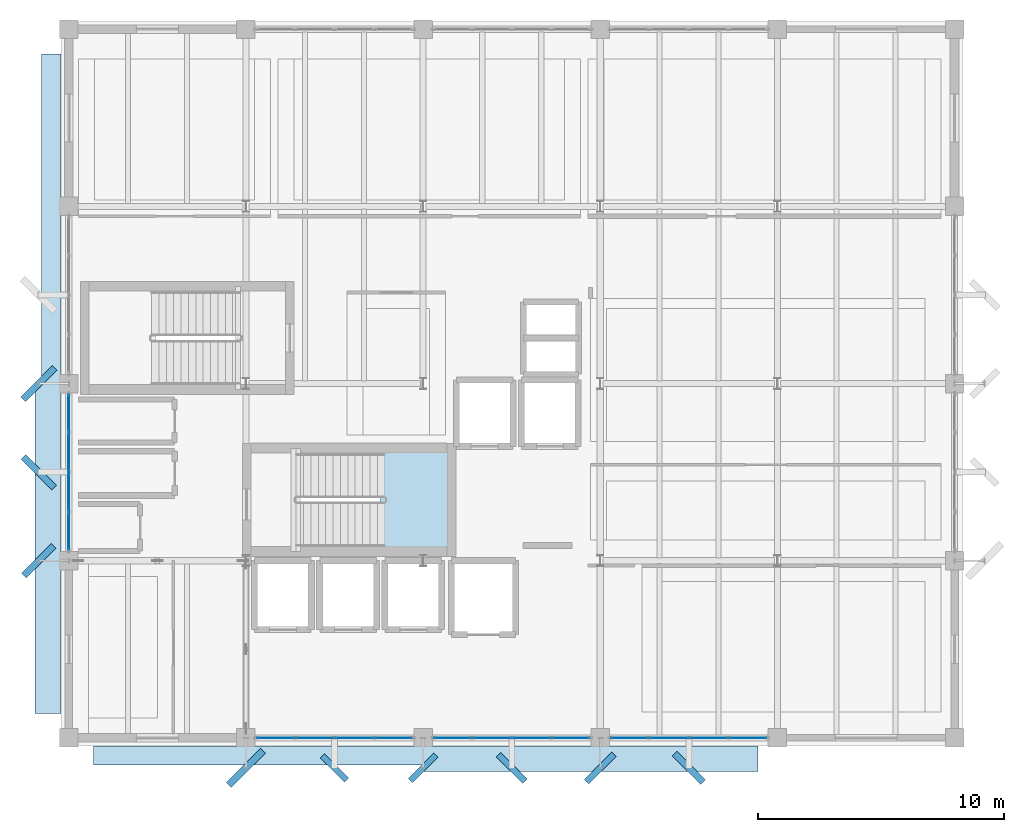
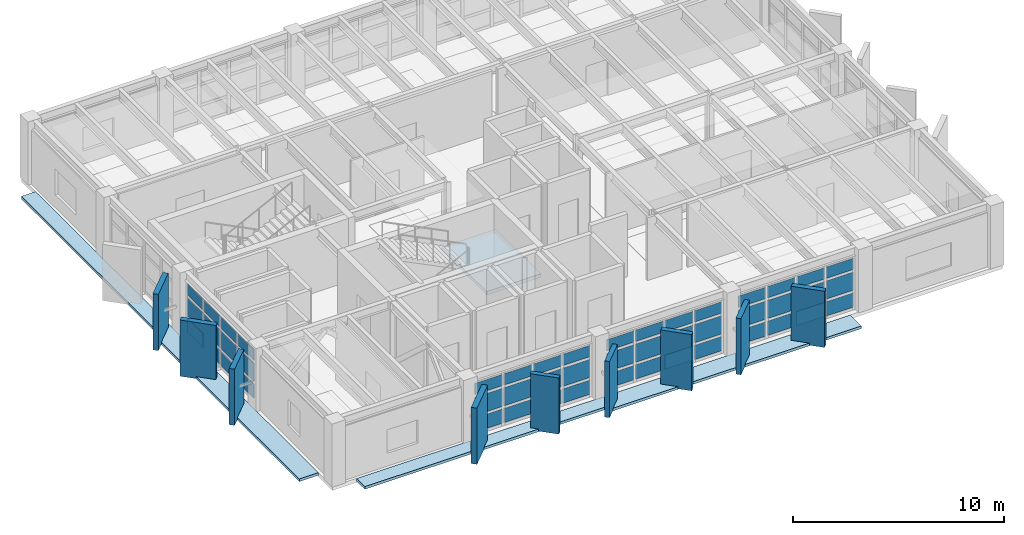
# One storey, part 14 of 24: 57 plates, 3 slabs, 5 elements without a shape of their own.
"""IFC4 building model written with IfcOpenShell, lengths in metres."""

from ifc_helpers import new_model, si_unit, direction, frame, origin, origin_2d, place, context, subcontext, project, spatial, polyline, rectangle, outline, extrude, material, layer, layer_set, type_object, element, aggregate, save


model = new_model("IFC4")

# Units and contexts
model_context = context("Model", 3, precision=1e-05, world=origin(), true_north=direction((0.0, 1.0)))
body_context = subcontext(model_context, "Body", "Model", "MODEL_VIEW")
ifc_project = project(units=[si_unit("LENGTHUNIT", "METRE"), si_unit("AREAUNIT", "SQUARE_METRE"), si_unit("VOLUMEUNIT", "CUBIC_METRE"), si_unit("PLANEANGLEUNIT", "RADIAN"), si_unit("MASSUNIT", "GRAM", prefix="KILO")], contexts=[model_context])

# Site, building, storey
site_placement = place(None, origin())
site = spatial("IfcSite", under=ifc_project, at=site_placement, CompositionType="ELEMENT")
building_placement = place(site_placement, origin())
building = spatial("IfcBuilding", under=site, at=building_placement, Name="Kandorven Conservatory and Botanical Research Centre", CompositionType="ELEMENT")
storey_placement = place(building_placement, frame((0.0, 0.0, 24.89990234375)))
storey = spatial("IfcBuildingStorey", under=building, at=storey_placement, Name="L06", CompositionType="ELEMENT", Elevation=24.89990234375)

# Curtain wall, plates
ifc_material_1 = material(Name="Bronze anodised thermally broken aluminium", Category="aluminium")
ifc_layer_1 = layer(ifc_material_1, 0.179931640625)
ifc_layer_set_1 = layer_set([ifc_layer_1], Name="Bronze anodised thermally broken aluminium")
curtain_wall_type = type_object("IfcCurtainWallType", Name="CW_Unitised", PredefinedType="USERDEFINED", material=ifc_layer_set_1)
curtain_wall_1_placement = place(storey_placement, origin())
curtain_wall_1 = element("IfcCurtainWall", 1, at=curtain_wall_1_placement, inside=storey, type_object=curtain_wall_type, Name="Tower laboratory curtain wall CW-TWR-S-L06-2", ObjectType="UNITISED GLAZING", PredefinedType="USERDEFINED")
ifc_material_2 = material(Name="Double-glazed solar-control low-E glass", Category="glass")
ifc_layer_2 = layer(ifc_material_2, 0.028076171875)
ifc_layer_set_2 = layer_set([ifc_layer_2], Name="Double-glazed solar-control low-E glass")
plate_type_1 = type_object("IfcPlateType", Name="CW_Panel", PredefinedType="CURTAIN_PANEL", material=ifc_layer_set_2)
plate_1_placement = place(storey_placement, frame((14.4013671875, 6.0, 0.14990234375), z_axis=(0.0, 0.0, 1.0), x_axis=(1.0, 0.0, 0.0)))
plate_1 = element("IfcPlate", 2, at=plate_1_placement, type_object=plate_type_1, Name="CW-01 panel 1.1", PredefinedType="CURTAIN_PANEL", context=body_context, shape_type="SweptSolid", body=[
    extrude(rectangle(XDim=1.492431640625, YDim=0.028076171875, at=origin_2d()), origin(), (0.0, 0.0, 1.0), 0.824951171875),
])
plate_2_placement = place(storey_placement, frame((14.4013671875, 6.0, 1.125), z_axis=(0.0, 0.0, 1.0), x_axis=(1.0, 0.0, 0.0)))
plate_2 = element("IfcPlate", 3, at=plate_2_placement, type_object=plate_type_1, Name="CW-01 panel 1.2", PredefinedType="CURTAIN_PANEL", context=body_context, shape_type="SweptSolid", body=[
    extrude(rectangle(XDim=1.492431640625, YDim=0.028076171875, at=origin_2d()), origin(), (0.0, 0.0, 1.0), 1.050048828125),
])
plate_3_placement = place(storey_placement, frame((14.4013671875, 6.0, 2.3251953125), z_axis=(0.0, 0.0, 1.0), x_axis=(1.0, 0.0, 0.0)))
plate_3 = element("IfcPlate", 4, at=plate_3_placement, type_object=plate_type_1, Name="CW-01 panel 1.3", PredefinedType="CURTAIN_PANEL", context=body_context, shape_type="SweptSolid", body=[
    extrude(rectangle(XDim=1.492431640625, YDim=0.028076171875, at=origin_2d()), origin(), (0.0, 0.0, 1.0), 0.655029296875),
])
plate_4_placement = place(storey_placement, frame((15.99365234375, 6.0, 0.14990234375), z_axis=(0.0, 0.0, 1.0), x_axis=(1.0, 0.0, 0.0)))
plate_4 = element("IfcPlate", 5, at=plate_4_placement, type_object=plate_type_1, Name="CW-01 panel 2.1", PredefinedType="CURTAIN_PANEL", context=body_context, shape_type="SweptSolid", body=[
    extrude(rectangle(XDim=1.532470703125, YDim=0.028076171875, at=origin_2d()), origin(), (0.0, 0.0, 1.0), 0.824951171875),
])
plate_5_placement = place(storey_placement, frame((15.99365234375, 6.0, 1.125), z_axis=(0.0, 0.0, 1.0), x_axis=(1.0, 0.0, 0.0)))
plate_5 = element("IfcPlate", 6, at=plate_5_placement, type_object=plate_type_1, Name="CW-01 panel 2.2", PredefinedType="CURTAIN_PANEL", context=body_context, shape_type="SweptSolid", body=[
    extrude(rectangle(XDim=1.532470703125, YDim=0.028076171875, at=origin_2d()), origin(), (0.0, 0.0, 1.0), 1.050048828125),
])
plate_6_placement = place(storey_placement, frame((15.99365234375, 6.0, 2.3251953125), z_axis=(0.0, 0.0, 1.0), x_axis=(1.0, 0.0, 0.0)))
plate_6 = element("IfcPlate", 7, at=plate_6_placement, type_object=plate_type_1, Name="CW-01 panel 2.3", PredefinedType="CURTAIN_PANEL", context=body_context, shape_type="SweptSolid", body=[
    extrude(rectangle(XDim=1.532470703125, YDim=0.028076171875, at=origin_2d()), origin(), (0.0, 0.0, 1.0), 0.655029296875),
])
plate_7_placement = place(storey_placement, frame((17.606201171875, 6.0, 0.14990234375), z_axis=(0.0, 0.0, 1.0), x_axis=(1.0, 0.0, 0.0)))
plate_7 = element("IfcPlate", 8, at=plate_7_placement, type_object=plate_type_1, Name="CW-01 panel 3.1", PredefinedType="CURTAIN_PANEL", context=body_context, shape_type="SweptSolid", body=[
    extrude(rectangle(XDim=1.532470703125, YDim=0.028076171875, at=origin_2d()), origin(), (0.0, 0.0, 1.0), 0.824951171875),
])
plate_8_placement = place(storey_placement, frame((17.606201171875, 6.0, 1.125), z_axis=(0.0, 0.0, 1.0), x_axis=(1.0, 0.0, 0.0)))
plate_8 = element("IfcPlate", 9, at=plate_8_placement, type_object=plate_type_1, Name="CW-01 panel 3.2", PredefinedType="CURTAIN_PANEL", context=body_context, shape_type="SweptSolid", body=[
    extrude(rectangle(XDim=1.532470703125, YDim=0.028076171875, at=origin_2d()), origin(), (0.0, 0.0, 1.0), 1.050048828125),
])
plate_9_placement = place(storey_placement, frame((17.606201171875, 6.0, 2.3251953125), z_axis=(0.0, 0.0, 1.0), x_axis=(1.0, 0.0, 0.0)))
plate_9 = element("IfcPlate", 10, at=plate_9_placement, type_object=plate_type_1, Name="CW-01 panel 3.3", PredefinedType="CURTAIN_PANEL", context=body_context, shape_type="SweptSolid", body=[
    extrude(rectangle(XDim=1.532470703125, YDim=0.028076171875, at=origin_2d()), origin(), (0.0, 0.0, 1.0), 0.655029296875),
])
plate_10_placement = place(storey_placement, frame((19.19873046875, 6.0, 0.14990234375), z_axis=(0.0, 0.0, 1.0), x_axis=(1.0, 0.0, 0.0)))
plate_10 = element("IfcPlate", 11, at=plate_10_placement, type_object=plate_type_1, Name="CW-01 panel 4.1", PredefinedType="CURTAIN_PANEL", context=body_context, shape_type="SweptSolid", body=[
    extrude(rectangle(XDim=1.492431640625, YDim=0.028076171875, at=origin_2d()), origin(), (0.0, 0.0, 1.0), 0.824951171875),
])
plate_11_placement = place(storey_placement, frame((19.19873046875, 6.0, 1.125), z_axis=(0.0, 0.0, 1.0), x_axis=(1.0, 0.0, 0.0)))
plate_11 = element("IfcPlate", 12, at=plate_11_placement, type_object=plate_type_1, Name="CW-01 panel 4.2", PredefinedType="CURTAIN_PANEL", context=body_context, shape_type="SweptSolid", body=[
    extrude(rectangle(XDim=1.492431640625, YDim=0.028076171875, at=origin_2d()), origin(), (0.0, 0.0, 1.0), 1.050048828125),
])
plate_12_placement = place(storey_placement, frame((19.19873046875, 6.0, 2.3251953125), z_axis=(0.0, 0.0, 1.0), x_axis=(1.0, 0.0, 0.0)))
plate_12 = element("IfcPlate", 13, at=plate_12_placement, type_object=plate_type_1, Name="CW-01 panel 4.3", PredefinedType="CURTAIN_PANEL", context=body_context, shape_type="SweptSolid", body=[
    extrude(rectangle(XDim=1.492431640625, YDim=0.028076171875, at=origin_2d()), origin(), (0.0, 0.0, 1.0), 0.655029296875),
])
aggregate(curtain_wall_1, [plate_1, plate_2, plate_3, plate_4, plate_5, plate_6, plate_7, plate_8, plate_9, plate_10, plate_11, plate_12])

curtain_wall_2_placement = place(storey_placement, origin())
curtain_wall_2 = element("IfcCurtainWall", 14, at=curtain_wall_2_placement, inside=storey, type_object=curtain_wall_type, Name="Tower laboratory curtain wall CW-TWR-S-L06-3", ObjectType="UNITISED GLAZING", PredefinedType="USERDEFINED")
plate_13_placement = place(storey_placement, frame((21.601318359375, 6.0, 0.14990234375), z_axis=(0.0, 0.0, 1.0), x_axis=(1.0, 0.0, 0.0)))
plate_13 = element("IfcPlate", 15, at=plate_13_placement, type_object=plate_type_1, Name="CW-01 panel 1.1", PredefinedType="CURTAIN_PANEL", context=body_context, shape_type="SweptSolid", body=[
    extrude(rectangle(XDim=1.492431640625, YDim=0.028076171875, at=origin_2d()), origin(), (0.0, 0.0, 1.0), 0.824951171875),
])
plate_14_placement = place(storey_placement, frame((21.601318359375, 6.0, 1.125), z_axis=(0.0, 0.0, 1.0), x_axis=(1.0, 0.0, 0.0)))
plate_14 = element("IfcPlate", 16, at=plate_14_placement, type_object=plate_type_1, Name="CW-01 panel 1.2", PredefinedType="CURTAIN_PANEL", context=body_context, shape_type="SweptSolid", body=[
    extrude(rectangle(XDim=1.492431640625, YDim=0.028076171875, at=origin_2d()), origin(), (0.0, 0.0, 1.0), 1.050048828125),
])
plate_15_placement = place(storey_placement, frame((21.601318359375, 6.0, 2.3251953125), z_axis=(0.0, 0.0, 1.0), x_axis=(1.0, 0.0, 0.0)))
plate_15 = element("IfcPlate", 17, at=plate_15_placement, type_object=plate_type_1, Name="CW-01 panel 1.3", PredefinedType="CURTAIN_PANEL", context=body_context, shape_type="SweptSolid", body=[
    extrude(rectangle(XDim=1.492431640625, YDim=0.028076171875, at=origin_2d()), origin(), (0.0, 0.0, 1.0), 0.655029296875),
])
plate_16_placement = place(storey_placement, frame((23.19384765625, 6.0, 0.14990234375), z_axis=(0.0, 0.0, 1.0), x_axis=(1.0, 0.0, 0.0)))
plate_16 = element("IfcPlate", 18, at=plate_16_placement, type_object=plate_type_1, Name="CW-01 panel 2.1", PredefinedType="CURTAIN_PANEL", context=body_context, shape_type="SweptSolid", body=[
    extrude(rectangle(XDim=1.532470703125, YDim=0.028076171875, at=origin_2d()), origin(), (0.0, 0.0, 1.0), 0.824951171875),
])
plate_17_placement = place(storey_placement, frame((23.19384765625, 6.0, 1.125), z_axis=(0.0, 0.0, 1.0), x_axis=(1.0, 0.0, 0.0)))
plate_17 = element("IfcPlate", 19, at=plate_17_placement, type_object=plate_type_1, Name="CW-01 panel 2.2", PredefinedType="CURTAIN_PANEL", context=body_context, shape_type="SweptSolid", body=[
    extrude(rectangle(XDim=1.532470703125, YDim=0.028076171875, at=origin_2d()), origin(), (0.0, 0.0, 1.0), 1.050048828125),
])
plate_18_placement = place(storey_placement, frame((23.19384765625, 6.0, 2.3251953125), z_axis=(0.0, 0.0, 1.0), x_axis=(1.0, 0.0, 0.0)))
plate_18 = element("IfcPlate", 20, at=plate_18_placement, type_object=plate_type_1, Name="CW-01 panel 2.3", PredefinedType="CURTAIN_PANEL", context=body_context, shape_type="SweptSolid", body=[
    extrude(rectangle(XDim=1.532470703125, YDim=0.028076171875, at=origin_2d()), origin(), (0.0, 0.0, 1.0), 0.655029296875),
])
plate_19_placement = place(storey_placement, frame((24.80615234375, 6.0, 0.14990234375), z_axis=(0.0, 0.0, 1.0), x_axis=(1.0, 0.0, 0.0)))
plate_19 = element("IfcPlate", 21, at=plate_19_placement, type_object=plate_type_1, Name="CW-01 panel 3.1", PredefinedType="CURTAIN_PANEL", context=body_context, shape_type="SweptSolid", body=[
    extrude(rectangle(XDim=1.532470703125, YDim=0.028076171875, at=origin_2d()), origin(), (0.0, 0.0, 1.0), 0.824951171875),
])
plate_20_placement = place(storey_placement, frame((24.80615234375, 6.0, 1.125), z_axis=(0.0, 0.0, 1.0), x_axis=(1.0, 0.0, 0.0)))
plate_20 = element("IfcPlate", 22, at=plate_20_placement, type_object=plate_type_1, Name="CW-01 panel 3.2", PredefinedType="CURTAIN_PANEL", context=body_context, shape_type="SweptSolid", body=[
    extrude(rectangle(XDim=1.532470703125, YDim=0.028076171875, at=origin_2d()), origin(), (0.0, 0.0, 1.0), 1.050048828125),
])
plate_21_placement = place(storey_placement, frame((24.80615234375, 6.0, 2.3251953125), z_axis=(0.0, 0.0, 1.0), x_axis=(1.0, 0.0, 0.0)))
plate_21 = element("IfcPlate", 23, at=plate_21_placement, type_object=plate_type_1, Name="CW-01 panel 3.3", PredefinedType="CURTAIN_PANEL", context=body_context, shape_type="SweptSolid", body=[
    extrude(rectangle(XDim=1.532470703125, YDim=0.028076171875, at=origin_2d()), origin(), (0.0, 0.0, 1.0), 0.655029296875),
])
plate_22_placement = place(storey_placement, frame((26.398681640625, 6.0, 0.14990234375), z_axis=(0.0, 0.0, 1.0), x_axis=(1.0, 0.0, 0.0)))
plate_22 = element("IfcPlate", 24, at=plate_22_placement, type_object=plate_type_1, Name="CW-01 panel 4.1", PredefinedType="CURTAIN_PANEL", context=body_context, shape_type="SweptSolid", body=[
    extrude(rectangle(XDim=1.492431640625, YDim=0.028076171875, at=origin_2d()), origin(), (0.0, 0.0, 1.0), 0.824951171875),
])
plate_23_placement = place(storey_placement, frame((26.398681640625, 6.0, 1.125), z_axis=(0.0, 0.0, 1.0), x_axis=(1.0, 0.0, 0.0)))
plate_23 = element("IfcPlate", 25, at=plate_23_placement, type_object=plate_type_1, Name="CW-01 panel 4.2", PredefinedType="CURTAIN_PANEL", context=body_context, shape_type="SweptSolid", body=[
    extrude(rectangle(XDim=1.492431640625, YDim=0.028076171875, at=origin_2d()), origin(), (0.0, 0.0, 1.0), 1.050048828125),
])
plate_24_placement = place(storey_placement, frame((26.398681640625, 6.0, 2.3251953125), z_axis=(0.0, 0.0, 1.0), x_axis=(1.0, 0.0, 0.0)))
plate_24 = element("IfcPlate", 26, at=plate_24_placement, type_object=plate_type_1, Name="CW-01 panel 4.3", PredefinedType="CURTAIN_PANEL", context=body_context, shape_type="SweptSolid", body=[
    extrude(rectangle(XDim=1.492431640625, YDim=0.028076171875, at=origin_2d()), origin(), (0.0, 0.0, 1.0), 0.655029296875),
])
aggregate(curtain_wall_2, [plate_13, plate_14, plate_15, plate_16, plate_17, plate_18, plate_19, plate_20, plate_21, plate_22, plate_23, plate_24])

curtain_wall_3_placement = place(storey_placement, origin())
curtain_wall_3 = element("IfcCurtainWall", 27, at=curtain_wall_3_placement, inside=storey, type_object=curtain_wall_type, Name="Tower laboratory curtain wall CW-TWR-S-L06-4", ObjectType="UNITISED GLAZING", PredefinedType="USERDEFINED")
plate_25_placement = place(storey_placement, frame((28.80126953125, 6.0, 0.14990234375), z_axis=(0.0, 0.0, 1.0), x_axis=(1.0, 0.0, 0.0)))
plate_25 = element("IfcPlate", 28, at=plate_25_placement, type_object=plate_type_1, Name="CW-01 panel 1.1", PredefinedType="CURTAIN_PANEL", context=body_context, shape_type="SweptSolid", body=[
    extrude(rectangle(XDim=1.492431640625, YDim=0.028076171875, at=origin_2d()), origin(), (0.0, 0.0, 1.0), 0.824951171875),
])
plate_26_placement = place(storey_placement, frame((28.80126953125, 6.0, 1.125), z_axis=(0.0, 0.0, 1.0), x_axis=(1.0, 0.0, 0.0)))
plate_26 = element("IfcPlate", 29, at=plate_26_placement, type_object=plate_type_1, Name="CW-01 panel 1.2", PredefinedType="CURTAIN_PANEL", context=body_context, shape_type="SweptSolid", body=[
    extrude(rectangle(XDim=1.492431640625, YDim=0.028076171875, at=origin_2d()), origin(), (0.0, 0.0, 1.0), 1.050048828125),
])
plate_27_placement = place(storey_placement, frame((28.80126953125, 6.0, 2.3251953125), z_axis=(0.0, 0.0, 1.0), x_axis=(1.0, 0.0, 0.0)))
plate_27 = element("IfcPlate", 30, at=plate_27_placement, type_object=plate_type_1, Name="CW-01 panel 1.3", PredefinedType="CURTAIN_PANEL", context=body_context, shape_type="SweptSolid", body=[
    extrude(rectangle(XDim=1.492431640625, YDim=0.028076171875, at=origin_2d()), origin(), (0.0, 0.0, 1.0), 0.655029296875),
])
plate_28_placement = place(storey_placement, frame((30.393798828125, 6.0, 0.14990234375), z_axis=(0.0, 0.0, 1.0), x_axis=(1.0, 0.0, 0.0)))
plate_28 = element("IfcPlate", 31, at=plate_28_placement, type_object=plate_type_1, Name="CW-01 panel 2.1", PredefinedType="CURTAIN_PANEL", context=body_context, shape_type="SweptSolid", body=[
    extrude(rectangle(XDim=1.532470703125, YDim=0.028076171875, at=origin_2d()), origin(), (0.0, 0.0, 1.0), 0.824951171875),
])
plate_29_placement = place(storey_placement, frame((30.393798828125, 6.0, 1.125), z_axis=(0.0, 0.0, 1.0), x_axis=(1.0, 0.0, 0.0)))
plate_29 = element("IfcPlate", 32, at=plate_29_placement, type_object=plate_type_1, Name="CW-01 panel 2.2", PredefinedType="CURTAIN_PANEL", context=body_context, shape_type="SweptSolid", body=[
    extrude(rectangle(XDim=1.532470703125, YDim=0.028076171875, at=origin_2d()), origin(), (0.0, 0.0, 1.0), 1.050048828125),
])
plate_30_placement = place(storey_placement, frame((30.393798828125, 6.0, 2.3251953125), z_axis=(0.0, 0.0, 1.0), x_axis=(1.0, 0.0, 0.0)))
plate_30 = element("IfcPlate", 33, at=plate_30_placement, type_object=plate_type_1, Name="CW-01 panel 2.3", PredefinedType="CURTAIN_PANEL", context=body_context, shape_type="SweptSolid", body=[
    extrude(rectangle(XDim=1.532470703125, YDim=0.028076171875, at=origin_2d()), origin(), (0.0, 0.0, 1.0), 0.655029296875),
])
plate_31_placement = place(storey_placement, frame((32.00634765625, 6.0, 0.14990234375), z_axis=(0.0, 0.0, 1.0), x_axis=(1.0, 0.0, 0.0)))
plate_31 = element("IfcPlate", 34, at=plate_31_placement, type_object=plate_type_1, Name="CW-01 panel 3.1", PredefinedType="CURTAIN_PANEL", context=body_context, shape_type="SweptSolid", body=[
    extrude(rectangle(XDim=1.532470703125, YDim=0.028076171875, at=origin_2d()), origin(), (0.0, 0.0, 1.0), 0.824951171875),
])
plate_32_placement = place(storey_placement, frame((32.00634765625, 6.0, 1.125), z_axis=(0.0, 0.0, 1.0), x_axis=(1.0, 0.0, 0.0)))
plate_32 = element("IfcPlate", 35, at=plate_32_placement, type_object=plate_type_1, Name="CW-01 panel 3.2", PredefinedType="CURTAIN_PANEL", context=body_context, shape_type="SweptSolid", body=[
    extrude(rectangle(XDim=1.532470703125, YDim=0.028076171875, at=origin_2d()), origin(), (0.0, 0.0, 1.0), 1.050048828125),
])
plate_33_placement = place(storey_placement, frame((32.00634765625, 6.0, 2.3251953125), z_axis=(0.0, 0.0, 1.0), x_axis=(1.0, 0.0, 0.0)))
plate_33 = element("IfcPlate", 36, at=plate_33_placement, type_object=plate_type_1, Name="CW-01 panel 3.3", PredefinedType="CURTAIN_PANEL", context=body_context, shape_type="SweptSolid", body=[
    extrude(rectangle(XDim=1.532470703125, YDim=0.028076171875, at=origin_2d()), origin(), (0.0, 0.0, 1.0), 0.655029296875),
])
plate_34_placement = place(storey_placement, frame((33.5986328125, 6.0, 0.14990234375), z_axis=(0.0, 0.0, 1.0), x_axis=(1.0, 0.0, 0.0)))
plate_34 = element("IfcPlate", 37, at=plate_34_placement, type_object=plate_type_1, Name="CW-01 panel 4.1", PredefinedType="CURTAIN_PANEL", context=body_context, shape_type="SweptSolid", body=[
    extrude(rectangle(XDim=1.492431640625, YDim=0.028076171875, at=origin_2d()), origin(), (0.0, 0.0, 1.0), 0.824951171875),
])
plate_35_placement = place(storey_placement, frame((33.5986328125, 6.0, 1.125), z_axis=(0.0, 0.0, 1.0), x_axis=(1.0, 0.0, 0.0)))
plate_35 = element("IfcPlate", 38, at=plate_35_placement, type_object=plate_type_1, Name="CW-01 panel 4.2", PredefinedType="CURTAIN_PANEL", context=body_context, shape_type="SweptSolid", body=[
    extrude(rectangle(XDim=1.492431640625, YDim=0.028076171875, at=origin_2d()), origin(), (0.0, 0.0, 1.0), 1.050048828125),
])
plate_36_placement = place(storey_placement, frame((33.5986328125, 6.0, 2.3251953125), z_axis=(0.0, 0.0, 1.0), x_axis=(1.0, 0.0, 0.0)))
plate_36 = element("IfcPlate", 39, at=plate_36_placement, type_object=plate_type_1, Name="CW-01 panel 4.3", PredefinedType="CURTAIN_PANEL", context=body_context, shape_type="SweptSolid", body=[
    extrude(rectangle(XDim=1.492431640625, YDim=0.028076171875, at=origin_2d()), origin(), (0.0, 0.0, 1.0), 0.655029296875),
])
aggregate(curtain_wall_3, [plate_25, plate_26, plate_27, plate_28, plate_29, plate_30, plate_31, plate_32, plate_33, plate_34, plate_35, plate_36])

curtain_wall_4_placement = place(storey_placement, origin())
curtain_wall_4 = element("IfcCurtainWall", 40, at=curtain_wall_4_placement, inside=storey, type_object=curtain_wall_type, Name="Tower laboratory curtain wall CW-TWR-W-L06-2", ObjectType="UNITISED GLAZING", PredefinedType="USERDEFINED")
plate_37_placement = place(storey_placement, frame((6.0, 14.4013671875, 0.14990234375), z_axis=(0.0, 0.0, 1.0), x_axis=(0.0, 1.0, 0.0)))
plate_37 = element("IfcPlate", 41, at=plate_37_placement, type_object=plate_type_1, Name="CW-01 panel 1.1", PredefinedType="CURTAIN_PANEL", context=body_context, shape_type="SweptSolid", body=[
    extrude(rectangle(XDim=1.492431640625, YDim=0.028076171875, at=origin_2d()), origin(), (0.0, 0.0, 1.0), 0.824951171875),
])
plate_38_placement = place(storey_placement, frame((6.0, 14.4013671875, 1.125), z_axis=(0.0, 0.0, 1.0), x_axis=(0.0, 1.0, 0.0)))
plate_38 = element("IfcPlate", 42, at=plate_38_placement, type_object=plate_type_1, Name="CW-01 panel 1.2", PredefinedType="CURTAIN_PANEL", context=body_context, shape_type="SweptSolid", body=[
    extrude(rectangle(XDim=1.492431640625, YDim=0.028076171875, at=origin_2d()), origin(), (0.0, 0.0, 1.0), 1.050048828125),
])
plate_39_placement = place(storey_placement, frame((6.0, 14.4013671875, 2.3251953125), z_axis=(0.0, 0.0, 1.0), x_axis=(0.0, 1.0, 0.0)))
plate_39 = element("IfcPlate", 43, at=plate_39_placement, type_object=plate_type_1, Name="CW-01 panel 1.3", PredefinedType="CURTAIN_PANEL", context=body_context, shape_type="SweptSolid", body=[
    extrude(rectangle(XDim=1.492431640625, YDim=0.028076171875, at=origin_2d()), origin(), (0.0, 0.0, 1.0), 0.655029296875),
])
plate_40_placement = place(storey_placement, frame((6.0, 15.99365234375, 0.14990234375), z_axis=(0.0, 0.0, 1.0), x_axis=(0.0, 1.0, 0.0)))
plate_40 = element("IfcPlate", 44, at=plate_40_placement, type_object=plate_type_1, Name="CW-01 panel 2.1", PredefinedType="CURTAIN_PANEL", context=body_context, shape_type="SweptSolid", body=[
    extrude(rectangle(XDim=1.532470703125, YDim=0.028076171875, at=origin_2d()), origin(), (0.0, 0.0, 1.0), 0.824951171875),
])
plate_41_placement = place(storey_placement, frame((6.0, 15.99365234375, 1.125), z_axis=(0.0, 0.0, 1.0), x_axis=(0.0, 1.0, 0.0)))
plate_41 = element("IfcPlate", 45, at=plate_41_placement, type_object=plate_type_1, Name="CW-01 panel 2.2", PredefinedType="CURTAIN_PANEL", context=body_context, shape_type="SweptSolid", body=[
    extrude(rectangle(XDim=1.532470703125, YDim=0.028076171875, at=origin_2d()), origin(), (0.0, 0.0, 1.0), 1.050048828125),
])
plate_42_placement = place(storey_placement, frame((6.0, 15.99365234375, 2.3251953125), z_axis=(0.0, 0.0, 1.0), x_axis=(0.0, 1.0, 0.0)))
plate_42 = element("IfcPlate", 46, at=plate_42_placement, type_object=plate_type_1, Name="CW-01 panel 2.3", PredefinedType="CURTAIN_PANEL", context=body_context, shape_type="SweptSolid", body=[
    extrude(rectangle(XDim=1.532470703125, YDim=0.028076171875, at=origin_2d()), origin(), (0.0, 0.0, 1.0), 0.655029296875),
])
plate_43_placement = place(storey_placement, frame((6.0, 17.606201171875, 0.14990234375), z_axis=(0.0, 0.0, 1.0), x_axis=(0.0, 1.0, 0.0)))
plate_43 = element("IfcPlate", 47, at=plate_43_placement, type_object=plate_type_1, Name="CW-01 panel 3.1", PredefinedType="CURTAIN_PANEL", context=body_context, shape_type="SweptSolid", body=[
    extrude(rectangle(XDim=1.532470703125, YDim=0.028076171875, at=origin_2d()), origin(), (0.0, 0.0, 1.0), 0.824951171875),
])
plate_44_placement = place(storey_placement, frame((6.0, 17.606201171875, 1.125), z_axis=(0.0, 0.0, 1.0), x_axis=(0.0, 1.0, 0.0)))
plate_44 = element("IfcPlate", 48, at=plate_44_placement, type_object=plate_type_1, Name="CW-01 panel 3.2", PredefinedType="CURTAIN_PANEL", context=body_context, shape_type="SweptSolid", body=[
    extrude(rectangle(XDim=1.532470703125, YDim=0.028076171875, at=origin_2d()), origin(), (0.0, 0.0, 1.0), 1.050048828125),
])
plate_45_placement = place(storey_placement, frame((6.0, 17.606201171875, 2.3251953125), z_axis=(0.0, 0.0, 1.0), x_axis=(0.0, 1.0, 0.0)))
plate_45 = element("IfcPlate", 49, at=plate_45_placement, type_object=plate_type_1, Name="CW-01 panel 3.3", PredefinedType="CURTAIN_PANEL", context=body_context, shape_type="SweptSolid", body=[
    extrude(rectangle(XDim=1.532470703125, YDim=0.028076171875, at=origin_2d()), origin(), (0.0, 0.0, 1.0), 0.655029296875),
])
plate_46_placement = place(storey_placement, frame((6.0, 19.19873046875, 0.14990234375), z_axis=(0.0, 0.0, 1.0), x_axis=(0.0, 1.0, 0.0)))
plate_46 = element("IfcPlate", 50, at=plate_46_placement, type_object=plate_type_1, Name="CW-01 panel 4.1", PredefinedType="CURTAIN_PANEL", context=body_context, shape_type="SweptSolid", body=[
    extrude(rectangle(XDim=1.492431640625, YDim=0.028076171875, at=origin_2d()), origin(), (0.0, 0.0, 1.0), 0.824951171875),
])
plate_47_placement = place(storey_placement, frame((6.0, 19.19873046875, 1.125), z_axis=(0.0, 0.0, 1.0), x_axis=(0.0, 1.0, 0.0)))
plate_47 = element("IfcPlate", 51, at=plate_47_placement, type_object=plate_type_1, Name="CW-01 panel 4.2", PredefinedType="CURTAIN_PANEL", context=body_context, shape_type="SweptSolid", body=[
    extrude(rectangle(XDim=1.492431640625, YDim=0.028076171875, at=origin_2d()), origin(), (0.0, 0.0, 1.0), 1.050048828125),
])
plate_48_placement = place(storey_placement, frame((6.0, 19.19873046875, 2.3251953125), z_axis=(0.0, 0.0, 1.0), x_axis=(0.0, 1.0, 0.0)))
plate_48 = element("IfcPlate", 52, at=plate_48_placement, type_object=plate_type_1, Name="CW-01 panel 4.3", PredefinedType="CURTAIN_PANEL", context=body_context, shape_type="SweptSolid", body=[
    extrude(rectangle(XDim=1.492431640625, YDim=0.028076171875, at=origin_2d()), origin(), (0.0, 0.0, 1.0), 0.655029296875),
])
aggregate(curtain_wall_4, [plate_37, plate_38, plate_39, plate_40, plate_41, plate_42, plate_43, plate_44, plate_45, plate_46, plate_47, plate_48])

# Plates
ifc_material_3 = material(Name="Precast concrete C40/50 (M50)", Category="concrete")
ifc_layer_3 = layer(ifc_material_3, 0.239990234375)
ifc_layer_set_3 = layer_set([ifc_layer_3], Name="Precast concrete C40/50 (M50)")
plate_type_2 = type_object("IfcPlateType", Name="Fin_BF-01", PredefinedType="USERDEFINED", material=ifc_layer_set_3)
plate_49_placement = place(storey_placement, frame((16.800048828125, 4.780029296875, -0.119873046875), z_axis=(0.0, 0.0, 1.0), x_axis=(-0.707106781187, 0.707106781187, 0.0)))
element("IfcPlate", 53, at=plate_49_placement, inside=storey, type_object=plate_type_2, Name="Sculpted board-marked concrete brise-soleil fin BF-01", ObjectType="SOLAR FIN", PredefinedType="USERDEFINED", context=body_context, shape_type="SweptSolid", body=[
    extrude(rectangle(XDim=1.39990234375, YDim=0.239990234375, at=origin_2d()), origin(), (0.0, 0.0, 1.0), 3.25),
])
ifc_material_4 = material(Name="Precast concrete C40/50 (M50)", Category="concrete")
ifc_layer_4 = layer(ifc_material_4, 0.2451171875)
ifc_layer_set_4 = layer_set([ifc_layer_4], Name="Precast concrete C40/50 (M50)")
plate_type_3 = type_object("IfcPlateType", Name="Fin_BF-02", PredefinedType="USERDEFINED", material=ifc_layer_set_4)
plate_50_placement = place(storey_placement, frame((20.39990234375, 4.780029296875, -0.119873046875), z_axis=(0.0, 0.0, 1.0), x_axis=(0.707106781187, 0.707106781187, 0.0)))
element("IfcPlate", 54, at=plate_50_placement, inside=storey, type_object=plate_type_3, Name="Sculpted board-marked concrete brise-soleil fin BF-02", ObjectType="SOLAR FIN", PredefinedType="USERDEFINED", context=body_context, shape_type="SweptSolid", body=[
    extrude(rectangle(XDim=1.4599609375, YDim=0.2451171875, at=origin_2d()), origin(), (0.0, 0.0, 1.0), 3.25),
])
ifc_material_5 = material(Name="Precast concrete C40/50 (M50)", Category="concrete")
ifc_layer_5 = layer(ifc_material_5, 0.25)
ifc_layer_set_5 = layer_set([ifc_layer_5], Name="Precast concrete C40/50 (M50)")
plate_type_4 = type_object("IfcPlateType", Name="Fin_BF-03", PredefinedType="USERDEFINED", material=ifc_layer_set_5)
plate_51_placement = place(storey_placement, frame((24.0, 4.780029296875, -0.119873046875), z_axis=(0.0, 0.0, 1.0), x_axis=(-0.707106781187, 0.707106781187, 0.0)))
element("IfcPlate", 55, at=plate_51_placement, inside=storey, type_object=plate_type_4, Name="Sculpted board-marked concrete brise-soleil fin BF-03", ObjectType="SOLAR FIN", PredefinedType="USERDEFINED", context=body_context, shape_type="SweptSolid", body=[
    extrude(rectangle(XDim=1.52001953125, YDim=0.25, at=origin_2d()), origin(), (0.0, 0.0, 1.0), 3.25),
])
ifc_material_6 = material(Name="Precast concrete C40/50 (M50)", Category="concrete")
ifc_layer_6 = layer(ifc_material_6, 0.2548828125)
ifc_layer_set_6 = layer_set([ifc_layer_6], Name="Precast concrete C40/50 (M50)")
plate_type_5 = type_object("IfcPlateType", Name="Fin_BF-04", PredefinedType="USERDEFINED", material=ifc_layer_set_6)
plate_52_placement = place(storey_placement, frame((27.60009765625, 4.780029296875, -0.119873046875), z_axis=(0.0, 0.0, 1.0), x_axis=(0.707106781187, 0.707106781187, 0.0)))
element("IfcPlate", 56, at=plate_52_placement, inside=storey, type_object=plate_type_5, Name="Sculpted board-marked concrete brise-soleil fin BF-04", ObjectType="SOLAR FIN", PredefinedType="USERDEFINED", context=body_context, shape_type="SweptSolid", body=[
    extrude(rectangle(XDim=1.580078125, YDim=0.2548828125, at=origin_2d()), origin(), (0.0, 0.0, 1.0), 3.25),
])
ifc_material_7 = material(Name="Precast concrete C40/50 (M50)", Category="concrete")
ifc_layer_7 = layer(ifc_material_7, 0.260009765625)
ifc_layer_set_7 = layer_set([ifc_layer_7], Name="Precast concrete C40/50 (M50)")
plate_type_6 = type_object("IfcPlateType", Name="Fin_BF-05", PredefinedType="USERDEFINED", material=ifc_layer_set_7)
plate_53_placement = place(storey_placement, frame((31.199951171875, 4.780029296875, -0.119873046875), z_axis=(0.0, 0.0, 1.0), x_axis=(-0.707106781187, 0.707106781187, 0.0)))
element("IfcPlate", 57, at=plate_53_placement, inside=storey, type_object=plate_type_6, Name="Sculpted board-marked concrete brise-soleil fin BF-05", ObjectType="SOLAR FIN", PredefinedType="USERDEFINED", context=body_context, shape_type="SweptSolid", body=[
    extrude(rectangle(XDim=1.639892578125, YDim=0.260009765625, at=origin_2d()), origin(), (0.0, 0.0, 1.0), 3.25),
])
ifc_material_8 = material(Name="Precast concrete C40/50 (M50)", Category="concrete")
ifc_layer_8 = layer(ifc_material_8, 0.264892578125)
ifc_layer_set_8 = layer_set([ifc_layer_8], Name="Precast concrete C40/50 (M50)")
plate_type_7 = type_object("IfcPlateType", Name="Fin_BF-06", PredefinedType="USERDEFINED", material=ifc_layer_set_8)
plate_54_placement = place(storey_placement, frame((4.780029296875, 13.199951171875, -0.119873046875), z_axis=(0.0, 0.0, 1.0), x_axis=(0.707106781187, 0.707106781187, 0.0)))
element("IfcPlate", 58, at=plate_54_placement, inside=storey, type_object=plate_type_7, Name="Sculpted board-marked concrete brise-soleil fin BF-06", ObjectType="SOLAR FIN", PredefinedType="USERDEFINED", context=body_context, shape_type="SweptSolid", body=[
    extrude(rectangle(XDim=1.699951171875, YDim=0.264892578125, at=origin_2d()), origin(), (0.0, 0.0, 1.0), 3.25),
])
ifc_material_9 = material(Name="Precast concrete C40/50 (M50)", Category="concrete")
ifc_layer_9 = layer(ifc_material_9, 0.27001953125)
ifc_layer_set_9 = layer_set([ifc_layer_9], Name="Precast concrete C40/50 (M50)")
plate_type_8 = type_object("IfcPlateType", Name="Fin_BF-07", PredefinedType="USERDEFINED", material=ifc_layer_set_9)
plate_55_placement = place(storey_placement, frame((4.780029296875, 16.800048828125, -0.119873046875), z_axis=(0.0, 0.0, 1.0), x_axis=(-0.707106781187, 0.707106781187, 0.0)))
element("IfcPlate", 59, at=plate_55_placement, inside=storey, type_object=plate_type_8, Name="Sculpted board-marked concrete brise-soleil fin BF-07", ObjectType="SOLAR FIN", PredefinedType="USERDEFINED", context=body_context, shape_type="SweptSolid", body=[
    extrude(rectangle(XDim=1.760009765625, YDim=0.27001953125, at=origin_2d()), origin(), (0.0, 0.0, 1.0), 3.25),
])
ifc_material_10 = material(Name="Precast concrete C40/50 (M50)", Category="concrete")
ifc_layer_10 = layer(ifc_material_10, 0.27490234375)
ifc_layer_set_10 = layer_set([ifc_layer_10], Name="Precast concrete C40/50 (M50)")
plate_type_9 = type_object("IfcPlateType", Name="Fin_BF-08", PredefinedType="USERDEFINED", material=ifc_layer_set_10)
plate_56_placement = place(storey_placement, frame((4.780029296875, 20.39990234375, -0.119873046875), z_axis=(0.0, 0.0, 1.0), x_axis=(0.707106781187, 0.707106781187, 0.0)))
element("IfcPlate", 60, at=plate_56_placement, inside=storey, type_object=plate_type_9, Name="Sculpted board-marked concrete brise-soleil fin BF-08", ObjectType="SOLAR FIN", PredefinedType="USERDEFINED", context=body_context, shape_type="SweptSolid", body=[
    extrude(rectangle(XDim=1.820068359375, YDim=0.27490234375, at=origin_2d()), origin(), (0.0, 0.0, 1.0), 3.25),
])
ifc_material_11 = material(Name="Precast concrete C40/50 (M50)", Category="concrete")
ifc_layer_11 = layer(ifc_material_11, 0.2880859375)
ifc_layer_set_11 = layer_set([ifc_layer_11], Name="Precast concrete C40/50 (M50)")
plate_type_10 = type_object("IfcPlateType", Name="Fin_BF-20", PredefinedType="USERDEFINED", material=ifc_layer_set_11)
plate_57_placement = place(storey_placement, frame((13.199951171875, 4.780029296875, -0.119873046875), z_axis=(0.0, 0.0, 1.0), x_axis=(0.707106781187, 0.707106781187, 0.0)))
element("IfcPlate", 61, at=plate_57_placement, inside=storey, type_object=plate_type_10, Name="Sculpted board-marked concrete brise-soleil fin BF-20", ObjectType="SOLAR FIN", PredefinedType="USERDEFINED", context=body_context, shape_type="SweptSolid", body=[
    extrude(rectangle(XDim=1.969970703125, YDim=0.2880859375, at=origin_2d()), origin(), (0.0, 0.0, 1.0), 3.25),
])

# Slabs
ifc_material_12 = material(Name="Concrete C32/40 (M40)", Category="concrete")
ifc_layer_12 = layer(ifc_material_12, 0.14990234375)
ifc_layer_set_12 = layer_set([ifc_layer_12], Name="Concrete C32/40 (M40)")
slab_type_1 = type_object("IfcSlabType", Name="Slab_SL-15", PredefinedType="FLOOR", material=ifc_layer_set_12)
slab_1_placement = place(storey_placement, frame((0.0, 0.0, -0.14990234375)))
element("IfcSlab", 62, at=slab_1_placement, inside=storey, type_object=slab_type_1, Name="Tower south sculpted concrete solar-hood slab L06", PredefinedType="FLOOR", context=body_context, shape_type="SweptSolid", body=[
    extrude(outline(polyline([(7.0, 5.679931640625), (34.0, 5.679931640625), (34.0, 4.6298828125), (20.39990234375, 4.6298828125), (20.39990234375, 4.89990234375), (7.0, 4.89990234375), (7.0, 5.679931640625)])), origin(), (0.0, 0.0, 1.0), 0.14990234375),
])
slab_2_placement = place(storey_placement, frame((0.0, 0.0, -0.14990234375)))
element("IfcSlab", 63, at=slab_2_placement, inside=storey, type_object=slab_type_1, Name="Tower west sculpted concrete solar-hood slab L06", PredefinedType="FLOOR", context=body_context, shape_type="SweptSolid", body=[
    extrude(outline(polyline([(4.6298828125, 7.0), (5.679931640625, 7.0), (5.679931640625, 33.800048828125), (4.89990234375, 33.800048828125), (4.89990234375, 20.39990234375), (4.6298828125, 20.39990234375), (4.6298828125, 7.0)])), origin(), (0.0, 0.0, 1.0), 0.14990234375),
])

# Stair, slab
ifc_material_13 = material(Name="Concrete C32/40 (M40)", Category="concrete")
stair_type = type_object("IfcStairType", Name="Stair_1820", PredefinedType="HALF_TURN_STAIR", material=ifc_material_13)
stair_placement = place(storey_placement, origin())
stair = element("IfcStair", 64, at=stair_placement, inside=storey, type_object=stair_type, Name="L06 Tower Fire Stair ST-T1", PredefinedType="HALF_TURN_STAIR")
ifc_material_14 = material(Name="Concrete C32/40 (M40)", Category="concrete")
ifc_layer_13 = layer(ifc_material_14, 0.199951171875)
ifc_layer_set_13 = layer_set([ifc_layer_13], Name="Concrete C32/40 (M40)")
slab_type_2 = type_object("IfcSlabType", Name="StairLanding_200", PredefinedType="LANDING", material=ifc_layer_set_13)
slab_3_placement = place(storey_placement, frame((0.0, 0.0, 1.75)))
slab_3 = element("IfcSlab", 65, at=slab_3_placement, type_object=slab_type_2, Name="ST-T1 landing 1", PredefinedType="LANDING", context=body_context, shape_type="SweptSolid", body=[
    extrude(outline(polyline([(18.659423828125, 13.5400390625), (21.6201171875, 13.5400390625), (21.6201171875, 17.81005859375), (18.659423828125, 17.81005859375), (18.659423828125, 13.5400390625)])), origin(), (0.0, 0.0, 1.0), 0.2001953125),
])
aggregate(stair, [slab_3])

save(model, "model.ifc")
